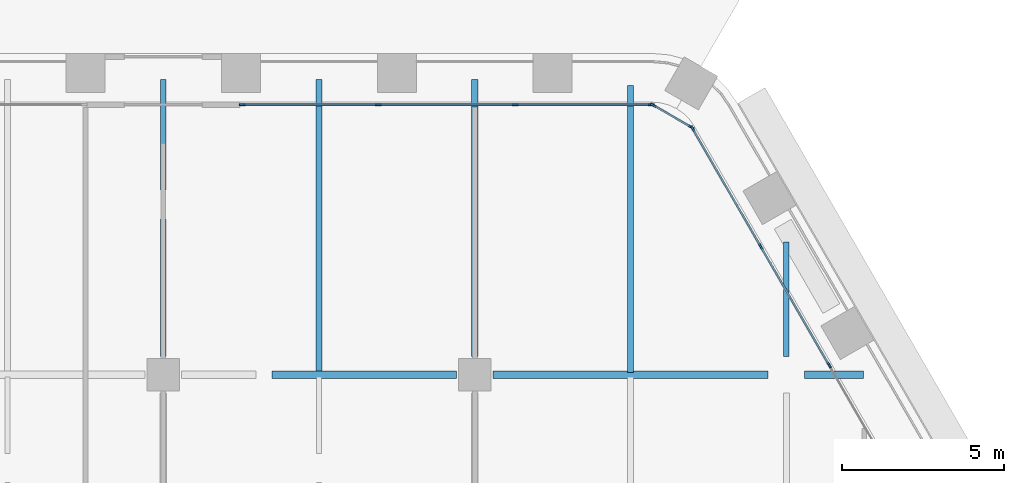
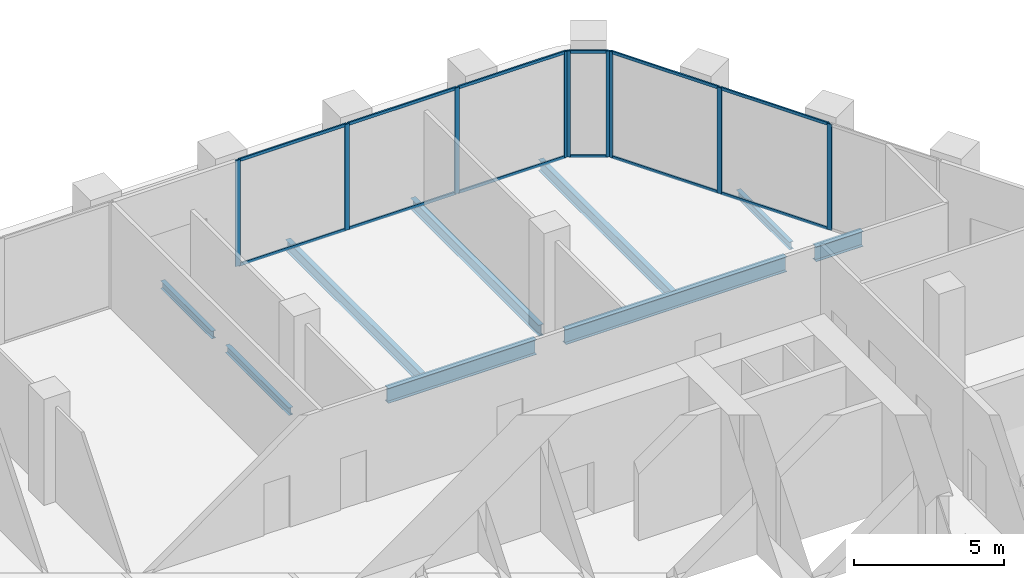
# One storey, part 9 of 23: 21 members, 9 beams, 3 elements without a shape of their own.
"""IFC4 building model written with IfcOpenShell, lengths in metres."""

from ifc_helpers import new_model, si_unit, direction, frame, origin, origin_2d, place, context, subcontext, project, spatial, rectangle, i_section, extrude, material, material_profile, profile_set, type_object, element, aggregate, save


model = new_model("IFC4")

# Units and contexts
model_context = context("Model", 3, precision=1e-05, world=origin(), true_north=direction((0.0, 1.0)))
body_context = subcontext(model_context, "Body", "Model", "MODEL_VIEW")
ifc_project = project(units=[si_unit("LENGTHUNIT", "METRE"), si_unit("AREAUNIT", "SQUARE_METRE"), si_unit("VOLUMEUNIT", "CUBIC_METRE"), si_unit("PLANEANGLEUNIT", "RADIAN"), si_unit("MASSUNIT", "GRAM", prefix="KILO")], contexts=[model_context])

# Site, building, storey
site_placement = place(None, origin())
site = spatial("IfcSite", under=ifc_project, at=site_placement, CompositionType="ELEMENT")
building_placement = place(site_placement, origin())
building = spatial("IfcBuilding", under=site, at=building_placement, Name="Kolab Exchange Tower", CompositionType="ELEMENT")
storey_placement = place(building_placement, frame((0.0, 0.0, 77.89990234375)))
storey = spatial("IfcBuildingStorey", under=building, at=storey_placement, Name="L14", CompositionType="ELEMENT", Elevation=77.89990234375)

# Beams
ifc_material_1 = material(Name="Steel S355", Category="steel")
ifc_material_profile_1 = material_profile(ifc_material_1, i_section(OverallWidth=0.1650390625, OverallDepth=0.31005859375, WebThickness=0.005859375, FlangeThickness=0.009765625, at=origin_2d()), Name="W310X39")
ifc_profile_set_1 = profile_set([ifc_material_profile_1], Name="Steel S355")
beam_type_1 = type_object("IfcBeamType", Name="FLOOR BEAM W310X39", PredefinedType="BEAM", material=ifc_profile_set_1)
beam_1_placement = place(storey_placement, frame((0.0, 19.760009765625, -0.35498046875), z_axis=(0.0, 1.0, 0.0), x_axis=(-1.0, 0.0, 0.0)))
element("IfcBeam", 1, at=beam_1_placement, inside=storey, type_object=beam_type_1, Name="beam/L14/fr/031", PredefinedType="BEAM", context=body_context, shape_type="SweptSolid", body=[
    extrude(i_section(OverallWidth=0.1650390625, OverallDepth=0.31005859375, WebThickness=0.005859375, FlangeThickness=0.009765625, at=origin_2d()), origin(), (0.0, 0.0, 1.0), 4.23046875),
])
beam_2_placement = place(storey_placement, frame((0.0, 24.892578125, -0.35498046875), z_axis=(0.0, 1.0, 0.0), x_axis=(-1.0, 0.0, 0.0)))
element("IfcBeam", 2, at=beam_2_placement, inside=storey, type_object=beam_type_1, Name="beam/L14/fr/032", PredefinedType="BEAM", context=body_context, shape_type="SweptSolid", body=[
    extrude(i_section(OverallWidth=0.1650390625, OverallDepth=0.31005859375, WebThickness=0.005859375, FlangeThickness=0.009765625, at=origin_2d()), origin(), (0.0, 0.0, 1.0), 3.39599609375),
])
beam_3_placement = place(storey_placement, frame((19.199951171875, 19.760009765625, -0.35498046875), z_axis=(0.0, 1.0, 0.0), x_axis=(-1.0, 0.0, 0.0)))
element("IfcBeam", 3, at=beam_3_placement, inside=storey, type_object=beam_type_1, Name="beam/L14/fr/053", PredefinedType="BEAM", context=body_context, shape_type="SweptSolid", body=[
    extrude(i_section(OverallWidth=0.1650390625, OverallDepth=0.31005859375, WebThickness=0.005859375, FlangeThickness=0.009765625, at=origin_2d()), origin(), (0.0, 0.0, 1.0), 3.521484375),
])
ifc_material_profile_2 = material_profile(ifc_material_1, i_section(OverallWidth=0.18994140625, OverallDepth=0.45703125, WebThickness=0.009033203125, FlangeThickness=0.014404296875, at=origin_2d()), Name="W460X74")
ifc_profile_set_2 = profile_set([ifc_material_profile_2], Name="Steel S355")
beam_type_2 = type_object("IfcBeamType", Name="FLOOR BEAM W460X74", PredefinedType="BEAM", material=ifc_profile_set_2)
beam_4_placement = place(storey_placement, frame((4.800048828125, 19.27392578125, -0.428466796875), z_axis=(0.0, 1.0, 0.0), x_axis=(-1.0, 0.0, 0.0)))
element("IfcBeam", 4, at=beam_4_placement, inside=storey, type_object=beam_type_2, Name="beam/L14/fr/038", PredefinedType="BEAM", context=body_context, shape_type="SweptSolid", body=[
    extrude(i_section(OverallWidth=0.18994140625, OverallDepth=0.45703125, WebThickness=0.009033203125, FlangeThickness=0.014404296875, at=origin_2d()), origin(), (0.0, 0.0, 1.0), 9.0146484375),
])
beam_5_placement = place(storey_placement, frame((9.60009765625, 19.760009765625, -0.428466796875), z_axis=(0.0, 1.0, 0.0), x_axis=(-1.0, 0.0, 0.0)))
element("IfcBeam", 5, at=beam_5_placement, inside=storey, type_object=beam_type_2, Name="beam/L14/fr/043", PredefinedType="BEAM", context=body_context, shape_type="SweptSolid", body=[
    extrude(i_section(OverallWidth=0.18994140625, OverallDepth=0.45703125, WebThickness=0.009033203125, FlangeThickness=0.014404296875, at=origin_2d()), origin(), (0.0, 0.0, 1.0), 8.528564453125),
])
beam_6_placement = place(storey_placement, frame((14.39990234375, 19.27392578125, -0.428466796875), z_axis=(0.0, 1.0, 0.0), x_axis=(-1.0, 0.0, 0.0)))
element("IfcBeam", 6, at=beam_6_placement, inside=storey, type_object=beam_type_2, Name="beam/L14/fr/047", PredefinedType="BEAM", context=body_context, shape_type="SweptSolid", body=[
    extrude(i_section(OverallWidth=0.18994140625, OverallDepth=0.45703125, WebThickness=0.009033203125, FlangeThickness=0.014404296875, at=origin_2d()), origin(), (0.0, 0.0, 1.0), 8.8330078125),
])
ifc_material_profile_3 = material_profile(ifc_material_1, i_section(OverallWidth=0.22802734375, OverallDepth=0.60791015625, WebThickness=0.01123046875, FlangeThickness=0.017333984375, at=origin_2d()), Name="W610X113")
ifc_profile_set_3 = profile_set([ifc_material_profile_3], Name="Steel S355")
beam_type_3 = type_object("IfcBeamType", Name="FLOOR GIRDER W610X113", PredefinedType="BEAM", material=ifc_profile_set_3)
beam_7_placement = place(storey_placement, frame((3.351318359375, 19.199951171875, -0.50390625), z_axis=(1.0, 0.0, 0.0), x_axis=(0.0, 1.0, 0.0)))
element("IfcBeam", 7, at=beam_7_placement, inside=storey, type_object=beam_type_3, Name="beam/L14/gd/017", PredefinedType="BEAM", context=body_context, shape_type="SweptSolid", body=[
    extrude(i_section(OverallWidth=0.22802734375, OverallDepth=0.60791015625, WebThickness=0.01123046875, FlangeThickness=0.017333984375, at=origin_2d()), origin(), (0.0, 0.0, 1.0), 5.688720703125),
])
beam_8_placement = place(storey_placement, frame((10.159912109375, 19.199951171875, -0.50390625), z_axis=(1.0, 0.0, 0.0), x_axis=(0.0, 1.0, 0.0)))
element("IfcBeam", 8, at=beam_8_placement, inside=storey, type_object=beam_type_3, Name="beam/L14/gd/020", PredefinedType="BEAM", context=body_context, shape_type="SweptSolid", body=[
    extrude(i_section(OverallWidth=0.22802734375, OverallDepth=0.60791015625, WebThickness=0.01123046875, FlangeThickness=0.017333984375, at=origin_2d()), origin(), (0.0, 0.0, 1.0), 8.47998046875),
])
beam_9_placement = place(storey_placement, frame((19.760009765625, 19.199951171875, -0.50390625), z_axis=(1.0, 0.0, 0.0), x_axis=(0.0, 1.0, 0.0)))
element("IfcBeam", 9, at=beam_9_placement, inside=storey, type_object=beam_type_3, Name="beam/L14/gd/027", PredefinedType="BEAM", context=body_context, shape_type="SweptSolid", body=[
    extrude(i_section(OverallWidth=0.22802734375, OverallDepth=0.60791015625, WebThickness=0.01123046875, FlangeThickness=0.017333984375, at=origin_2d()), origin(), (0.0, 0.0, 1.0), 1.8134765625),
])

# Curtain wall, members
ifc_material_2 = material(Name="Aluminium EN AW-6063 T6", Category="aluminium")
curtain_wall_type = type_object("IfcCurtainWallType", Name="UNITISED LOWER MID ZONE CURTAIN WALL", PredefinedType="NOTDEFINED", material=ifc_material_2)
curtain_wall_1_placement = place(storey_placement, origin())
curtain_wall_1 = element("IfcCurtainWall", 10, at=curtain_wall_1_placement, inside=storey, type_object=curtain_wall_type, Name="cw/L14/F1-2", PredefinedType="NOTDEFINED")
ifc_material_profile_4 = material_profile(ifc_material_2, rectangle(XDim=0.06005859375, YDim=0.179931640625, at=origin_2d()), Name="RECT 60X180")
ifc_profile_set_4 = profile_set([ifc_material_profile_4], Name="Aluminium EN AW-6063 T6")
member_type_1 = type_object("IfcMemberType", Name="UNITISED LOWER MID ZONE MULLION 60 X 180", PredefinedType="MULLION", material=ifc_profile_set_4)
member_1_placement = place(storey_placement, frame((2.429931640625, 27.5185546875, 0.0), z_axis=(0.0, 0.0, 1.0), x_axis=(0.0, 1.0, 0.0)))
member_1 = element("IfcMember", 11, at=member_1_placement, type_object=member_type_1, Name="CW2 mullion 1", PredefinedType="MULLION", context=body_context, shape_type="SweptSolid", body=[
    extrude(rectangle(XDim=0.06005859375, YDim=0.179931640625, at=origin_2d()), origin(), (0.0, 0.0, 1.0), 4.300048828125),
])
member_2_placement = place(storey_placement, frame((6.62255859375, 27.5185546875, 0.0), z_axis=(0.0, 0.0, 1.0), x_axis=(0.0, 1.0, 0.0)))
member_2 = element("IfcMember", 12, at=member_2_placement, type_object=member_type_1, Name="CW2 mullion 2", PredefinedType="MULLION", context=body_context, shape_type="SweptSolid", body=[
    extrude(rectangle(XDim=0.06005859375, YDim=0.179931640625, at=origin_2d()), origin(), (0.0, 0.0, 1.0), 4.300048828125),
])
member_3_placement = place(storey_placement, frame((10.84521484375, 27.5185546875, 0.0), z_axis=(0.0, 0.0, 1.0), x_axis=(0.0, 1.0, 0.0)))
member_3 = element("IfcMember", 13, at=member_3_placement, type_object=member_type_1, Name="CW2 mullion 3", PredefinedType="MULLION", context=body_context, shape_type="SweptSolid", body=[
    extrude(rectangle(XDim=0.06005859375, YDim=0.179931640625, at=origin_2d()), origin(), (0.0, 0.0, 1.0), 4.300048828125),
])
member_4_placement = place(storey_placement, frame((15.037841796875, 27.5185546875, 0.0), z_axis=(0.0, 0.0, 1.0), x_axis=(0.0, 1.0, 0.0)))
member_4 = element("IfcMember", 14, at=member_4_placement, type_object=member_type_1, Name="CW2 mullion 4", PredefinedType="MULLION", context=body_context, shape_type="SweptSolid", body=[
    extrude(rectangle(XDim=0.06005859375, YDim=0.179931640625, at=origin_2d()), origin(), (0.0, 0.0, 1.0), 4.300048828125),
])

curtain_wall_2_placement = place(storey_placement, origin())
curtain_wall_2 = element("IfcCurtainWall", 15, at=curtain_wall_2_placement, inside=storey, type_object=curtain_wall_type, Name="cw/L14/F2-1", PredefinedType="NOTDEFINED")
member_5_placement = place(storey_placement, frame((16.312744140625, 26.782470703125, 0.0), z_axis=(0.0, 0.0, 1.0), x_axis=(0.866025393644, 0.500000017564, 0.0)))
member_5 = element("IfcMember", 16, at=member_5_placement, type_object=member_type_1, Name="CW2 mullion 1", PredefinedType="MULLION", context=body_context, shape_type="SweptSolid", body=[
    extrude(rectangle(XDim=0.06005859375, YDim=0.179931640625, at=origin_2d()), origin(), (0.0, 0.0, 1.0), 4.300048828125),
])
member_6_placement = place(storey_placement, frame((18.408935546875, 23.151611328125, 0.0), z_axis=(0.0, 0.0, 1.0), x_axis=(0.866025393644, 0.500000017564, 0.0)))
member_6 = element("IfcMember", 17, at=member_6_placement, type_object=member_type_1, Name="CW2 mullion 2", PredefinedType="MULLION", context=body_context, shape_type="SweptSolid", body=[
    extrude(rectangle(XDim=0.06005859375, YDim=0.179931640625, at=origin_2d()), origin(), (0.0, 0.0, 1.0), 4.300048828125),
])
member_7_placement = place(storey_placement, frame((20.520263671875, 19.49462890625, 0.0), z_axis=(0.0, 0.0, 1.0), x_axis=(0.866025393644, 0.500000017564, 0.0)))
member_7 = element("IfcMember", 18, at=member_7_placement, type_object=member_type_1, Name="CW2 mullion 3", PredefinedType="MULLION", context=body_context, shape_type="SweptSolid", body=[
    extrude(rectangle(XDim=0.06005859375, YDim=0.179931640625, at=origin_2d()), origin(), (0.0, 0.0, 1.0), 4.300048828125),
])

curtain_wall_3_placement = place(storey_placement, origin())
curtain_wall_3 = element("IfcCurtainWall", 19, at=curtain_wall_3_placement, inside=storey, type_object=curtain_wall_type, Name="cw/L14/F1F2-corner", PredefinedType="NOTDEFINED")
member_8_placement = place(storey_placement, frame((15.093994140625, 27.50341796875, 0.0), z_axis=(0.0, 0.0, 1.0), x_axis=(0.50000002237, 0.866025390869, 0.0)))
member_8 = element("IfcMember", 20, at=member_8_placement, type_object=member_type_1, Name="CW2 mullion 1", PredefinedType="MULLION", context=body_context, shape_type="SweptSolid", body=[
    extrude(rectangle(XDim=0.06005859375, YDim=0.179931640625, at=origin_2d()), origin(), (0.0, 0.0, 1.0), 4.300048828125),
])
member_9_placement = place(storey_placement, frame((16.271728515625, 26.823486328125, 0.0), z_axis=(0.0, 0.0, 1.0), x_axis=(0.50000002237, 0.866025390869, 0.0)))
member_9 = element("IfcMember", 21, at=member_9_placement, type_object=member_type_1, Name="CW2 mullion 2", PredefinedType="MULLION", context=body_context, shape_type="SweptSolid", body=[
    extrude(rectangle(XDim=0.06005859375, YDim=0.179931640625, at=origin_2d()), origin(), (0.0, 0.0, 1.0), 4.300048828125),
])

# Member
ifc_material_profile_5 = material_profile(ifc_material_2, rectangle(XDim=0.06005859375, YDim=0.1201171875, at=origin_2d()), Name="RECT 60X120")
ifc_profile_set_5 = profile_set([ifc_material_profile_5], Name="Aluminium EN AW-6063 T6")
member_type_2 = type_object("IfcMemberType", Name="UNITISED LOWER MID ZONE TRANSOM 60 X 120", PredefinedType="USERDEFINED", material=ifc_profile_set_5)
member_10_placement = place(storey_placement, frame((2.4599609375, 27.5185546875, 0.030029296875), z_axis=(1.0, 0.0, 0.0), x_axis=(0.0, 1.0, 0.0)))
member_10 = element("IfcMember", 22, at=member_10_placement, type_object=member_type_2, Name="CW2 transom 1.1", ObjectType="TRANSOM", PredefinedType="USERDEFINED", context=body_context, shape_type="SweptSolid", body=[
    extrude(rectangle(XDim=0.06005859375, YDim=0.1201171875, at=origin_2d()), origin(), (0.0, 0.0, 1.0), 4.132568359375),
])

member_11_placement = place(storey_placement, frame((2.4599609375, 27.5185546875, 4.27001953125), z_axis=(1.0, 0.0, 0.0), x_axis=(0.0, 1.0, 0.0)))
member_11 = element("IfcMember", 23, at=member_11_placement, type_object=member_type_2, Name="CW2 transom 1.2", ObjectType="TRANSOM", PredefinedType="USERDEFINED", context=body_context, shape_type="SweptSolid", body=[
    extrude(rectangle(XDim=0.06005859375, YDim=0.1201171875, at=origin_2d()), origin(), (0.0, 0.0, 1.0), 4.132568359375),
])

member_12_placement = place(storey_placement, frame((6.652587890625, 27.5185546875, 0.030029296875), z_axis=(1.0, 0.0, 0.0), x_axis=(0.0, 1.0, 0.0)))
member_12 = element("IfcMember", 24, at=member_12_placement, type_object=member_type_2, Name="CW2 transom 2.1", ObjectType="TRANSOM", PredefinedType="USERDEFINED", context=body_context, shape_type="SweptSolid", body=[
    extrude(rectangle(XDim=0.06005859375, YDim=0.1201171875, at=origin_2d()), origin(), (0.0, 0.0, 1.0), 4.16259765625),
])

member_13_placement = place(storey_placement, frame((6.652587890625, 27.5185546875, 4.27001953125), z_axis=(1.0, 0.0, 0.0), x_axis=(0.0, 1.0, 0.0)))
member_13 = element("IfcMember", 25, at=member_13_placement, type_object=member_type_2, Name="CW2 transom 2.2", ObjectType="TRANSOM", PredefinedType="USERDEFINED", context=body_context, shape_type="SweptSolid", body=[
    extrude(rectangle(XDim=0.06005859375, YDim=0.1201171875, at=origin_2d()), origin(), (0.0, 0.0, 1.0), 4.16259765625),
])

member_14_placement = place(storey_placement, frame((10.875244140625, 27.5185546875, 0.030029296875), z_axis=(1.0, 0.0, 0.0), x_axis=(0.0, 1.0, 0.0)))
member_14 = element("IfcMember", 26, at=member_14_placement, type_object=member_type_2, Name="CW2 transom 3.1", ObjectType="TRANSOM", PredefinedType="USERDEFINED", context=body_context, shape_type="SweptSolid", body=[
    extrude(rectangle(XDim=0.06005859375, YDim=0.1201171875, at=origin_2d()), origin(), (0.0, 0.0, 1.0), 4.1328125),
])

member_15_placement = place(storey_placement, frame((10.875244140625, 27.5185546875, 4.27001953125), z_axis=(1.0, 0.0, 0.0), x_axis=(0.0, 1.0, 0.0)))
member_15 = element("IfcMember", 27, at=member_15_placement, type_object=member_type_2, Name="CW2 transom 3.2", ObjectType="TRANSOM", PredefinedType="USERDEFINED", context=body_context, shape_type="SweptSolid", body=[
    extrude(rectangle(XDim=0.06005859375, YDim=0.1201171875, at=origin_2d()), origin(), (0.0, 0.0, 1.0), 4.1328125),
])

aggregate(curtain_wall_1, [member_1, member_2, member_3, member_4, member_10, member_11, member_12, member_13, member_14, member_15])

member_16_placement = place(storey_placement, frame((16.32763671875, 26.756591796875, 0.030029296875), z_axis=(0.500001996123, -0.866024251319, 0.0), x_axis=(0.866024251319, 0.500001996123, 0.0)))
member_16 = element("IfcMember", 28, at=member_16_placement, type_object=member_type_2, Name="CW2 transom 1.1", ObjectType="TRANSOM", PredefinedType="USERDEFINED", context=body_context, shape_type="SweptSolid", body=[
    extrude(rectangle(XDim=0.06005859375, YDim=0.1201171875, at=origin_2d()), origin(), (0.0, 0.0, 1.0), 4.1328125),
])

member_17_placement = place(storey_placement, frame((16.32763671875, 26.756591796875, 4.27001953125), z_axis=(0.500001996123, -0.866024251319, 0.0), x_axis=(0.866024251319, 0.500001996123, 0.0)))
member_17 = element("IfcMember", 29, at=member_17_placement, type_object=member_type_2, Name="CW2 transom 1.2", ObjectType="TRANSOM", PredefinedType="USERDEFINED", context=body_context, shape_type="SweptSolid", body=[
    extrude(rectangle(XDim=0.06005859375, YDim=0.1201171875, at=origin_2d()), origin(), (0.0, 0.0, 1.0), 4.1328125),
])

member_18_placement = place(storey_placement, frame((18.424072265625, 23.12548828125, 0.030029296875), z_axis=(0.49999322259, -0.866029316688, 0.0), x_axis=(0.866029316688, 0.49999322259, 0.0)))
member_18 = element("IfcMember", 30, at=member_18_placement, type_object=member_type_2, Name="CW2 transom 2.1", ObjectType="TRANSOM", PredefinedType="USERDEFINED", context=body_context, shape_type="SweptSolid", body=[
    extrude(rectangle(XDim=0.06005859375, YDim=0.1201171875, at=origin_2d()), origin(), (0.0, 0.0, 1.0), 4.16259765625),
])

member_19_placement = place(storey_placement, frame((18.424072265625, 23.12548828125, 4.27001953125), z_axis=(0.49999322259, -0.866029316688, 0.0), x_axis=(0.866029316688, 0.49999322259, 0.0)))
member_19 = element("IfcMember", 31, at=member_19_placement, type_object=member_type_2, Name="CW2 transom 2.2", ObjectType="TRANSOM", PredefinedType="USERDEFINED", context=body_context, shape_type="SweptSolid", body=[
    extrude(rectangle(XDim=0.06005859375, YDim=0.1201171875, at=origin_2d()), origin(), (0.0, 0.0, 1.0), 4.16259765625),
])

aggregate(curtain_wall_2, [member_5, member_6, member_7, member_16, member_17, member_18, member_19])

member_20_placement = place(storey_placement, frame((15.119873046875, 27.488525390625, 0.030029296875), z_axis=(0.866004217611, -0.500036693733, 0.0), x_axis=(0.500036693733, 0.866004217611, 0.0)))
member_20 = element("IfcMember", 32, at=member_20_placement, type_object=member_type_2, Name="CW2 transom 1.1", ObjectType="TRANSOM", PredefinedType="USERDEFINED", context=body_context, shape_type="SweptSolid", body=[
    extrude(rectangle(XDim=0.06005859375, YDim=0.1201171875, at=origin_2d()), origin(), (0.0, 0.0, 1.0), 1.30029296875),
])

member_21_placement = place(storey_placement, frame((15.119873046875, 27.488525390625, 4.27001953125), z_axis=(0.866004217611, -0.500036693733, 0.0), x_axis=(0.500036693733, 0.866004217611, 0.0)))
member_21 = element("IfcMember", 33, at=member_21_placement, type_object=member_type_2, Name="CW2 transom 1.2", ObjectType="TRANSOM", PredefinedType="USERDEFINED", context=body_context, shape_type="SweptSolid", body=[
    extrude(rectangle(XDim=0.06005859375, YDim=0.1201171875, at=origin_2d()), origin(), (0.0, 0.0, 1.0), 1.30029296875),
])

aggregate(curtain_wall_3, [member_8, member_9, member_20, member_21])

save(model, "model.ifc")
